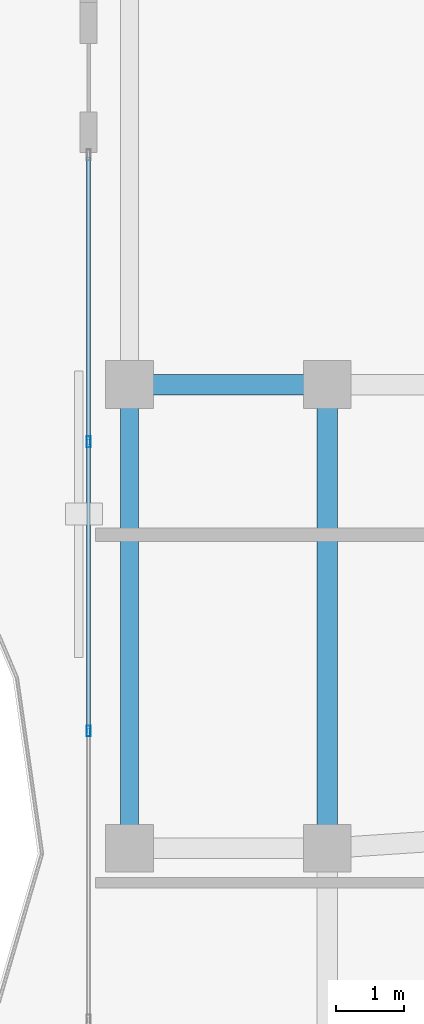
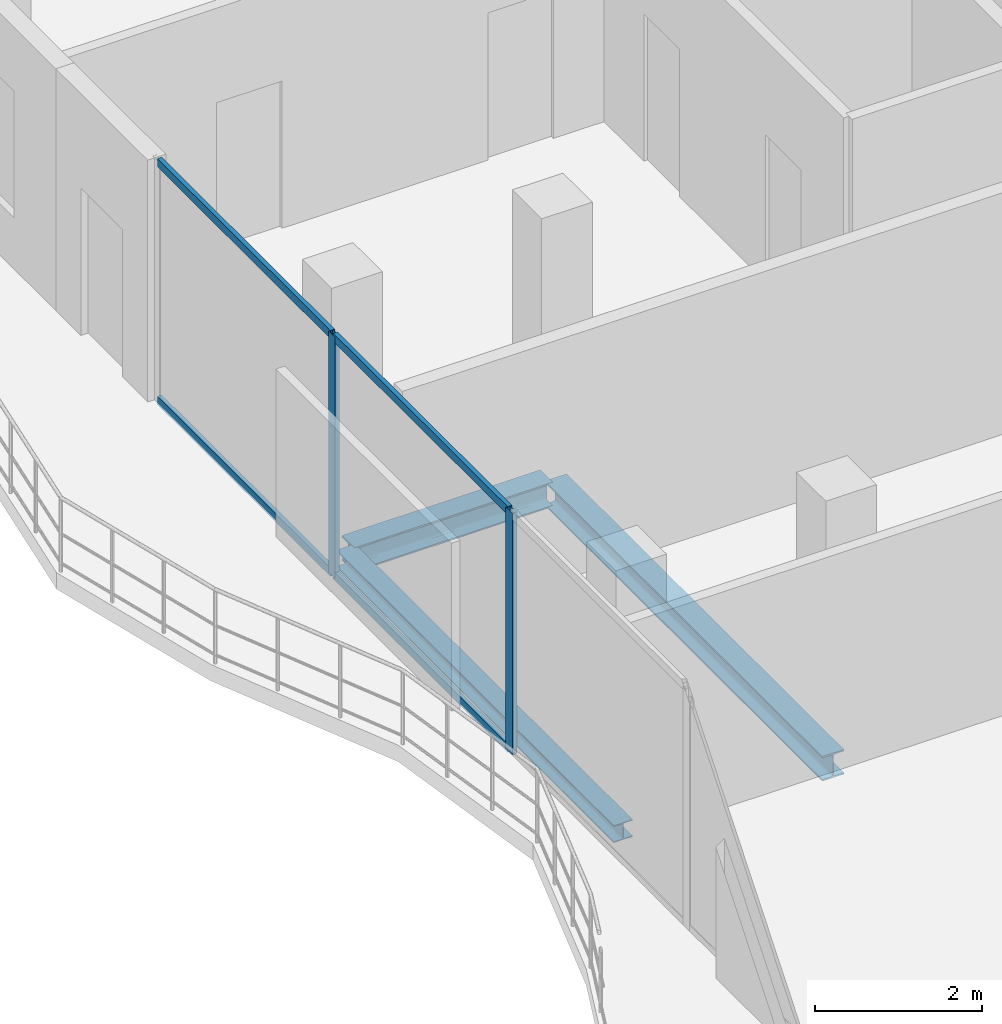
# One storey, part 10 of 22: 6 members, 3 beams, 1 element without a shape of its own.
"""IFC4 building model written with IfcOpenShell, lengths in metres."""

from ifc_helpers import new_model, si_unit, direction, frame, origin, origin_2d, place, context, subcontext, project, spatial, hollow_rectangle, i_section, extrude, material, layer, layer_set, material_profile, profile_set, type_object, element, aggregate, save


model = new_model("IFC4")

# Units and contexts
model_context = context("Model", 3, precision=1e-05, world=origin(), true_north=direction((0.0, 1.0)))
body_context = subcontext(model_context, "Body", "Model", "MODEL_VIEW")
ifc_project = project(units=[si_unit("LENGTHUNIT", "METRE"), si_unit("AREAUNIT", "SQUARE_METRE"), si_unit("VOLUMEUNIT", "CUBIC_METRE"), si_unit("PLANEANGLEUNIT", "RADIAN"), si_unit("MASSUNIT", "GRAM", prefix="KILO")], contexts=[model_context])

# Site, building, storey
site_placement = place(None, origin())
site = spatial("IfcSite", under=ifc_project, at=site_placement, CompositionType="ELEMENT")
building_placement = place(site_placement, origin())
building = spatial("IfcBuilding", under=site, at=building_placement, Name="Catumbela Crestline Tower", CompositionType="ELEMENT")
storey_placement = place(building_placement, frame((0.0, 0.0, 260.2)))
storey = spatial("IfcBuildingStorey", under=building, at=storey_placement, Name="L67", CompositionType="ELEMENT", Elevation=260.2)

# Beams
ifc_material_1 = material(Name="Structural steel S355J2", Category="steel")
ifc_material_profile_1 = material_profile(ifc_material_1, i_section(OverallWidth=0.3, OverallDepth=0.36, WebThickness=0.0125, FlangeThickness=0.0225, FilletRadius=0.027, at=origin_2d()), Name="HEB 360")
ifc_profile_set_1 = profile_set([ifc_material_profile_1], Name="Structural steel S355J2")
beam_type_1 = type_object("IfcBeamType", Name="BG-HEB360", PredefinedType="BEAM", material=ifc_profile_set_1)
beam_1_placement = place(storey_placement, frame((5.68, 30.8, -0.44), z_axis=(1.0, 0.0, 0.0), x_axis=(0.0, 1.0, 0.0)))
element("IfcBeam", 1, at=beam_1_placement, inside=storey, type_object=beam_type_1, Name="L67 Beam BM-L67-M06", PredefinedType="BEAM", context=body_context, shape_type="SweptSolid", body=[
    extrude(i_section(OverallWidth=0.3, OverallDepth=0.36, WebThickness=0.0125, FlangeThickness=0.0225, FilletRadius=0.027, at=origin_2d()), origin(), (0.0, 0.0, 1.0), 2.74),
])
beam_2_placement = place(storey_placement, frame((8.5, 24.08, -0.44), z_axis=(0.0, 1.0, 0.0), x_axis=(-1.0, 0.0, 0.0)))
element("IfcBeam", 2, at=beam_2_placement, inside=storey, type_object=beam_type_1, Name="L67 Beam BM-L67-SN14", PredefinedType="BEAM", context=body_context, shape_type="SweptSolid", body=[
    extrude(i_section(OverallWidth=0.3, OverallDepth=0.36, WebThickness=0.0125, FlangeThickness=0.0225, FilletRadius=0.027, at=origin_2d()), origin(), (0.0, 0.0, 1.0), 6.64),
])

# Curtain wall, members
ifc_material_2 = material(Name="Aluminium alloy AW-6060-T66", Category="aluminium")
ifc_layer = layer(ifc_material_2, 0.18, Name="Aluminium alloy AW-6060-T66")
ifc_layer_set = layer_set([ifc_layer], Name="Aluminium alloy AW-6060-T66")
curtain_wall_type = type_object("IfcCurtainWallType", Name="CWU-Z4", PredefinedType="USERDEFINED", material=ifc_layer_set)
curtain_wall_placement = place(storey_placement, origin())
curtain_wall = element("IfcCurtainWall", 3, at=curtain_wall_placement, inside=storey, type_object=curtain_wall_type, Name="L67 Unitised Curtain Wall CW-L67-E9S2", ObjectType="UNITISED", PredefinedType="USERDEFINED")
ifc_material_profile_2 = material_profile(ifc_material_2, hollow_rectangle(XDim=0.06, YDim=0.16, WallThickness=0.004, at=origin_2d()), Name="ALU 160x60x4")
ifc_profile_set_2 = profile_set([ifc_material_profile_2], Name="Aluminium alloy AW-6060-T66")
member_type_1 = type_object("IfcMemberType", Name="MUL-160X60", PredefinedType="MULLION", material=ifc_profile_set_2)
member_1_placement = place(storey_placement, frame((5.0, 29.96, 0.0), z_axis=(0.0, 0.0, 1.0), x_axis=(1.0, 0.0, 0.0)))
member_1 = element("IfcMember", 4, at=member_1_placement, type_object=member_type_1, Name="CWU-Z4 mullion 2", PredefinedType="MULLION", context=body_context, shape_type="SweptSolid", body=[
    extrude(hollow_rectangle(XDim=0.06, YDim=0.16, WallThickness=0.004, at=origin_2d()), origin(), (0.0, 0.0, 1.0), 3.53),
])
member_2_placement = place(storey_placement, frame((5.0, 25.72, 0.0), z_axis=(0.0, 0.0, 1.0), x_axis=(1.0, 0.0, 0.0)))
member_2 = element("IfcMember", 5, at=member_2_placement, type_object=member_type_1, Name="CWU-Z4 mullion 3", PredefinedType="MULLION", context=body_context, shape_type="SweptSolid", body=[
    extrude(hollow_rectangle(XDim=0.06, YDim=0.16, WallThickness=0.004, at=origin_2d()), origin(), (0.0, 0.0, 1.0), 3.53),
])

# Beam
ifc_material_profile_3 = material_profile(ifc_material_1, i_section(OverallWidth=0.26, OverallDepth=0.25, WebThickness=0.0075, FlangeThickness=0.0125, FilletRadius=0.024, at=origin_2d()), Name="HEA 260")
ifc_profile_set_3 = profile_set([ifc_material_profile_3], Name="Structural steel S355J2")
beam_type_2 = type_object("IfcBeamType", Name="BS-HEA260", PredefinedType="SPANDREL", material=ifc_profile_set_3)
beam_3_placement = place(storey_placement, frame((5.6, 24.08, -0.385), z_axis=(0.0, 1.0, 0.0), x_axis=(-1.0, 0.0, 0.0)))
element("IfcBeam", 6, at=beam_3_placement, inside=storey, type_object=beam_type_2, Name="L67 Spandrel SP-L67-SN12", PredefinedType="SPANDREL", context=body_context, shape_type="SweptSolid", body=[
    extrude(i_section(OverallWidth=0.26, OverallDepth=0.25, WebThickness=0.0075, FlangeThickness=0.0125, FilletRadius=0.024, at=origin_2d()), origin(), (0.0, 0.0, 1.0), 6.64),
])

# Member
ifc_material_profile_4 = material_profile(ifc_material_2, hollow_rectangle(XDim=0.06, YDim=0.12, WallThickness=0.0035, at=origin_2d()), Name="ALU 120x60x3.5")
ifc_profile_set_4 = profile_set([ifc_material_profile_4], Name="Aluminium alloy AW-6060-T66")
member_type_2 = type_object("IfcMemberType", Name="TRN-120X60", PredefinedType="USERDEFINED", material=ifc_profile_set_4)
member_3_placement = place(storey_placement, frame((5.0, 34.135, 0.03), z_axis=(0.0, -1.0, 0.0), x_axis=(1.0, 0.0, 0.0)))
member_3 = element("IfcMember", 7, at=member_3_placement, type_object=member_type_2, Name="CWU-Z4 transom 1.1", ObjectType="TRANSOM", PredefinedType="USERDEFINED", context=body_context, shape_type="SweptSolid", body=[
    extrude(hollow_rectangle(XDim=0.06, YDim=0.12, WallThickness=0.0035, at=origin_2d()), origin(), (0.0, 0.0, 1.0), 4.1425),
])

member_4_placement = place(storey_placement, frame((5.0, 34.135, 3.5), z_axis=(0.0, -1.0, 0.0), x_axis=(1.0, 0.0, 0.0)))
member_4 = element("IfcMember", 8, at=member_4_placement, type_object=member_type_2, Name="CWU-Z4 transom 1.2", ObjectType="TRANSOM", PredefinedType="USERDEFINED", context=body_context, shape_type="SweptSolid", body=[
    extrude(hollow_rectangle(XDim=0.06, YDim=0.12, WallThickness=0.0035, at=origin_2d()), origin(), (0.0, 0.0, 1.0), 4.1425),
])

member_5_placement = place(storey_placement, frame((5.0, 29.9275, 0.03), z_axis=(0.0, -1.0, 0.0), x_axis=(1.0, 0.0, 0.0)))
member_5 = element("IfcMember", 9, at=member_5_placement, type_object=member_type_2, Name="CWU-Z4 transom 2.1", ObjectType="TRANSOM", PredefinedType="USERDEFINED", context=body_context, shape_type="SweptSolid", body=[
    extrude(hollow_rectangle(XDim=0.06, YDim=0.12, WallThickness=0.0035, at=origin_2d()), origin(), (0.0, 0.0, 1.0), 4.175),
])

member_6_placement = place(storey_placement, frame((5.0, 29.9275, 3.5), z_axis=(0.0, -1.0, 0.0), x_axis=(1.0, 0.0, 0.0)))
member_6 = element("IfcMember", 10, at=member_6_placement, type_object=member_type_2, Name="CWU-Z4 transom 2.2", ObjectType="TRANSOM", PredefinedType="USERDEFINED", context=body_context, shape_type="SweptSolid", body=[
    extrude(hollow_rectangle(XDim=0.06, YDim=0.12, WallThickness=0.0035, at=origin_2d()), origin(), (0.0, 0.0, 1.0), 4.175),
])

aggregate(curtain_wall, [member_1, member_2, member_3, member_4, member_5, member_6])

save(model, "model.ifc")
